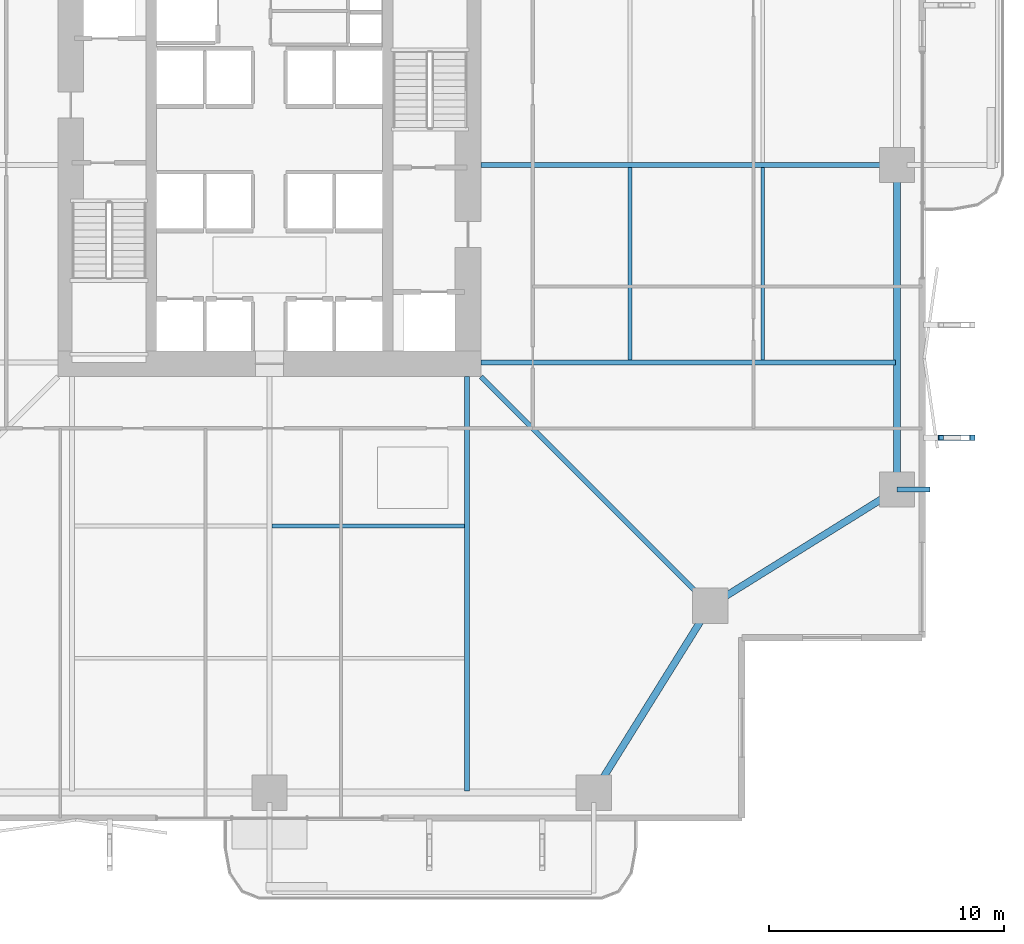
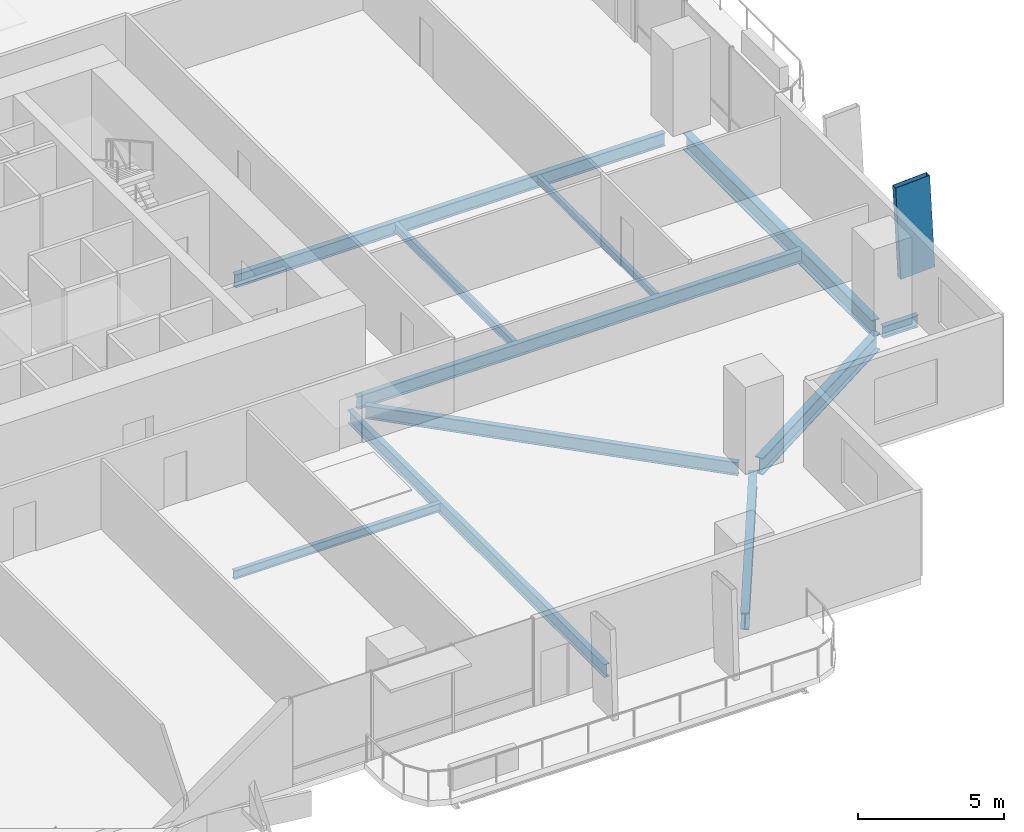
# One storey, part 7 of 24: 11 beams, 1 member.
"""IFC4 building model written with IfcOpenShell, lengths in metres."""

from ifc_helpers import new_model, si_unit, direction, frame, origin, origin_2d, place, context, subcontext, project, spatial, hollow_rectangle, i_section, extrude, material, material_profile, profile_set, type_object, element, save


model = new_model("IFC4")

# Units and contexts
model_context = context("Model", 3, precision=1e-05, world=origin(), true_north=direction((0.0, 1.0)))
body_context = subcontext(model_context, "Body", "Model", "MODEL_VIEW")
ifc_project = project(units=[si_unit("LENGTHUNIT", "METRE"), si_unit("AREAUNIT", "SQUARE_METRE"), si_unit("VOLUMEUNIT", "CUBIC_METRE"), si_unit("PLANEANGLEUNIT", "RADIAN"), si_unit("MASSUNIT", "GRAM", prefix="KILO")], contexts=[model_context])

# Site, building, storey
site_placement = place(None, origin())
site = spatial("IfcSite", under=ifc_project, at=site_placement, CompositionType="ELEMENT")
building_placement = place(site_placement, origin())
building = spatial("IfcBuilding", under=site, at=building_placement, Name="Belovzor Exchange Tower", CompositionType="ELEMENT")
storey_placement = place(building_placement, frame((0.0, 0.0, 69.0)))
storey = spatial("IfcBuildingStorey", under=building, at=storey_placement, Name="L16", CompositionType="ELEMENT", Elevation=69.0)

# Member
ifc_material_1 = material(Name="Extruded Architectural Terracotta on Steel S355 Carrier", Category="masonry")
ifc_material_profile_1 = material_profile(ifc_material_1, hollow_rectangle(XDim=0.219970703125, YDim=1.35009765625, WallThickness=0.013916015625, at=origin_2d()))
ifc_profile_set_1 = profile_set([ifc_material_profile_1], Name="Extruded Architectural Terracotta on Steel S355 Carrier")
member_type = type_object("IfcMemberType", Name="Base Arc Sweeping Terracotta Pylon Fin 1450", PredefinedType="USERDEFINED", material=ifc_profile_set_1)
member_placement = place(storey_placement, frame((58.132080078125, 17.199951171875, -0.25), z_axis=(-0.052512896371, 0.0, 0.998620245997), x_axis=(0.0, -1.0, 0.0)))
element("IfcMember", 1, at=member_placement, inside=storey, type_object=member_type, Name="FIN-TC145 Terracotta Facade Fin L16 E1", ObjectType="FIN", PredefinedType="USERDEFINED", context=body_context, shape_type="SweptSolid", body=[
    extrude(hollow_rectangle(XDim=0.219970703125, YDim=1.35009765625, WallThickness=0.013916015625, at=origin_2d()), origin(), (0.0, 0.0, 1.0), 3.9052734375),
])

# Beams
ifc_material_2 = material(Name="Steel S355", Category="steel")
ifc_material_profile_2 = material_profile(ifc_material_2, i_section(OverallWidth=0.199951171875, OverallDepth=0.5, WebThickness=0.01025390625, FlangeThickness=0.01611328125, at=origin_2d()))
ifc_profile_set_2 = profile_set([ifc_material_profile_2], Name="Steel S355")
beam_type_1 = type_object("IfcBeamType", Name="Planted Balcony Cantilever Beam IPE 500", PredefinedType="BEAM", material=ifc_profile_set_2)
beam_1_placement = place(storey_placement, frame((55.5, 15.0, -0.5), z_axis=(1.0, 0.0, 0.0), x_axis=(0.0, 1.0, 0.0)))
element("IfcBeam", 2, at=beam_1_placement, inside=storey, type_object=beam_type_1, Name="BC-500 Planted Balcony Cantilever Beam IPE 500", PredefinedType="BEAM", context=body_context, shape_type="SweptSolid", body=[
    extrude(i_section(OverallWidth=0.199951171875, OverallDepth=0.5, WebThickness=0.01025390625, FlangeThickness=0.01611328125, at=origin_2d()), origin(), (0.0, 0.0, 1.0), 1.39990234375),
])
ifc_material_3 = material(Name="Steel S355", Category="steel")
ifc_material_profile_3 = material_profile(ifc_material_3, i_section(OverallWidth=0.169921875, OverallDepth=0.360107421875, WebThickness=0.008056640625, FlangeThickness=0.0126953125, at=origin_2d()))
ifc_profile_set_3 = profile_set([ifc_material_profile_3], Name="Steel S355")
beam_type_2 = type_object("IfcBeamType", Name="Secondary Infill Floor Joist IPE 360", PredefinedType="BEAM", material=ifc_profile_set_3)
beam_2_placement = place(storey_placement, frame((28.905029296875, 13.455078125, -0.429931640625), z_axis=(1.0, 0.0, 0.0), x_axis=(0.0, 1.0, 0.0)))
element("IfcBeam", 3, at=beam_2_placement, inside=storey, type_object=beam_type_2, Name="FJ-360 Secondary Infill Floor Joist IPE 360", PredefinedType="BEAM", context=body_context, shape_type="SweptSolid", body=[
    extrude(i_section(OverallWidth=0.169921875, OverallDepth=0.360107421875, WebThickness=0.008056640625, FlangeThickness=0.0126953125, at=origin_2d()), origin(), (0.0, 0.0, 1.0), 8.18994140625),
])
beam_3_placement = place(storey_placement, frame((44.14501953125, 20.5048828125, -0.429931640625), z_axis=(0.0, 1.0, 0.0), x_axis=(-1.0, 0.0, 0.0)))
element("IfcBeam", 4, at=beam_3_placement, inside=storey, type_object=beam_type_2, Name="FJ-360 Secondary Infill Floor Joist IPE 360", PredefinedType="BEAM", context=body_context, shape_type="SweptSolid", body=[
    extrude(i_section(OverallWidth=0.169921875, OverallDepth=0.360107421875, WebThickness=0.008056640625, FlangeThickness=0.0126953125, at=origin_2d()), origin(), (0.0, 0.0, 1.0), 8.190185546875),
])
ifc_material_4 = material(Name="Steel S355", Category="steel")
ifc_material_profile_4 = material_profile(ifc_material_4, i_section(OverallWidth=0.14990234375, OverallDepth=0.300048828125, WebThickness=0.007080078125, FlangeThickness=0.0107421875, at=origin_2d()))
ifc_profile_set_4 = profile_set([ifc_material_profile_4], Name="Steel S355")
beam_type_3 = type_object("IfcBeamType", Name="Secondary Trim Floor Joist IPE 300", PredefinedType="BEAM", material=ifc_profile_set_4)
beam_4_placement = place(storey_placement, frame((49.784912109375, 20.5048828125, -0.39990234375), z_axis=(0.0, 1.0, 0.0), x_axis=(-1.0, 0.0, 0.0)))
element("IfcBeam", 5, at=beam_4_placement, inside=storey, type_object=beam_type_3, Name="FJ-300 Secondary Trim Floor Joist IPE 300", PredefinedType="BEAM", context=body_context, shape_type="SweptSolid", body=[
    extrude(i_section(OverallWidth=0.14990234375, OverallDepth=0.300048828125, WebThickness=0.007080078125, FlangeThickness=0.0107421875, at=origin_2d()), origin(), (0.0, 0.0, 1.0), 8.190185546875),
])
ifc_material_5 = material(Name="Steel S355", Category="steel")
ifc_material_profile_5 = material_profile(ifc_material_5, i_section(OverallWidth=0.300048828125, OverallDepth=0.699951171875, WebThickness=0.01708984375, FlangeThickness=0.031982421875, at=origin_2d()))
ifc_profile_set_5 = profile_set([ifc_material_profile_5], Name="Steel S355")
beam_type_4 = type_object("IfcBeamType", Name="Zone 1 Primary Perimeter Girder HEB 700", PredefinedType="BEAM", material=ifc_profile_set_5)
for number, where, z_axis, x_axis, name in (
    (6, (42.818115234375, 2.449951171875, -0.60009765625), (0.528538629686, 0.848909251292, 0.0), (-0.848909251292, 0.528538629686, 0.0), "FG-Z1 Zone 1 Primary Perimeter Girder HEB 700"),
    (7, (47.89990234375, 10.26806640625, -0.60009765625), (0.848909251292, 0.528538629686, 0.0), (-0.528538629686, 0.848909251292, 0.0), "FG-Z1 Zone 1 Primary Perimeter Girder HEB 700"),
):
    element("IfcBeam", number, at=place(storey_placement, frame(where, z_axis=z_axis, x_axis=x_axis)), inside=storey, type_object=beam_type_4, Name=name, PredefinedType="BEAM", context=body_context, shape_type="SweptSolid", body=[
        extrude(i_section(OverallWidth=0.300048828125, OverallDepth=0.699951171875, WebThickness=0.01708984375, FlangeThickness=0.031982421875, at=origin_2d()), origin(), (0.0, 0.0, 1.0), 8.540283203125),
    ])
beam_5_placement = place(storey_placement, frame((55.5, 15.412109375, -0.60009765625), z_axis=(0.0, 1.0, 0.0), x_axis=(-1.0, 0.0, 0.0)))
element("IfcBeam", 8, at=beam_5_placement, inside=storey, type_object=beam_type_4, Name="FG-Z1 Zone 1 Primary Perimeter Girder HEB 700", PredefinedType="BEAM", context=body_context, shape_type="SweptSolid", body=[
    extrude(i_section(OverallWidth=0.300048828125, OverallDepth=0.699951171875, WebThickness=0.01708984375, FlangeThickness=0.031982421875, at=origin_2d()), origin(), (0.0, 0.0, 1.0), 12.974853515625),
])
ifc_material_6 = material(Name="Steel S355", Category="steel")
ifc_material_profile_6 = material_profile(ifc_material_6, i_section(OverallWidth=0.2099609375, OverallDepth=0.550048828125, WebThickness=0.010986328125, FlangeThickness=0.01708984375, at=origin_2d()))
ifc_profile_set_6 = profile_set([ifc_material_profile_6], Name="Steel S355")
beam_type_5 = type_object("IfcBeamType", Name="Zone 1 Radial Composite Floor Beam IPE 550", PredefinedType="BEAM", material=ifc_profile_set_6)
for number, where, z_axis, x_axis, name in (
    (9, (37.199951171875, 19.800048828125, -0.52490234375), (0.0, -1.0, 0.0), (1.0, 0.0, 0.0), "FB-550 Zone 1 Radial Composite Floor Beam IPE 550"),
    (10, (37.800048828125, 20.39990234375, -0.52490234375), (1.0, 0.0, 0.0), (0.0, 1.0, 0.0), "FB-550 Zone 1 Radial Composite Floor Beam IPE 550"),
):
    element("IfcBeam", number, at=place(storey_placement, frame(where, z_axis=z_axis, x_axis=x_axis)), inside=storey, type_object=beam_type_5, Name=name, PredefinedType="BEAM", context=body_context, shape_type="SweptSolid", body=[
        extrude(i_section(OverallWidth=0.2099609375, OverallDepth=0.550048828125, WebThickness=0.010986328125, FlangeThickness=0.01708984375, at=origin_2d()), origin(), (0.0, 0.0, 1.0), 17.625),
    ])
beam_6_placement = place(storey_placement, frame((37.800048828125, 28.800048828125, -0.52490234375), z_axis=(1.0, 0.0, 0.0), x_axis=(0.0, 1.0, 0.0)))
element("IfcBeam", 11, at=beam_6_placement, inside=storey, type_object=beam_type_5, Name="FB-550 Zone 1 Radial Composite Floor Beam IPE 550", PredefinedType="BEAM", context=body_context, shape_type="SweptSolid", body=[
    extrude(i_section(OverallWidth=0.2099609375, OverallDepth=0.550048828125, WebThickness=0.010986328125, FlangeThickness=0.01708984375, at=origin_2d()), origin(), (0.0, 0.0, 1.0), 17.0400390625),
])
beam_7_placement = place(storey_placement, frame((37.800048828125, 19.800048828125, -0.52490234375), z_axis=(0.707106781187, -0.707106781187, 0.0), x_axis=(0.707106781187, 0.707106781187, 0.0)))
element("IfcBeam", 12, at=beam_7_placement, inside=storey, type_object=beam_type_5, Name="FB-550 Zone 1 Radial Composite Floor Beam IPE 550", PredefinedType="BEAM", context=body_context, shape_type="SweptSolid", body=[
    extrude(i_section(OverallWidth=0.2099609375, OverallDepth=0.550048828125, WebThickness=0.010986328125, FlangeThickness=0.01708984375, at=origin_2d()), origin(), (0.0, 0.0, 1.0), 13.25830078125),
])

save(model, "model.ifc")
